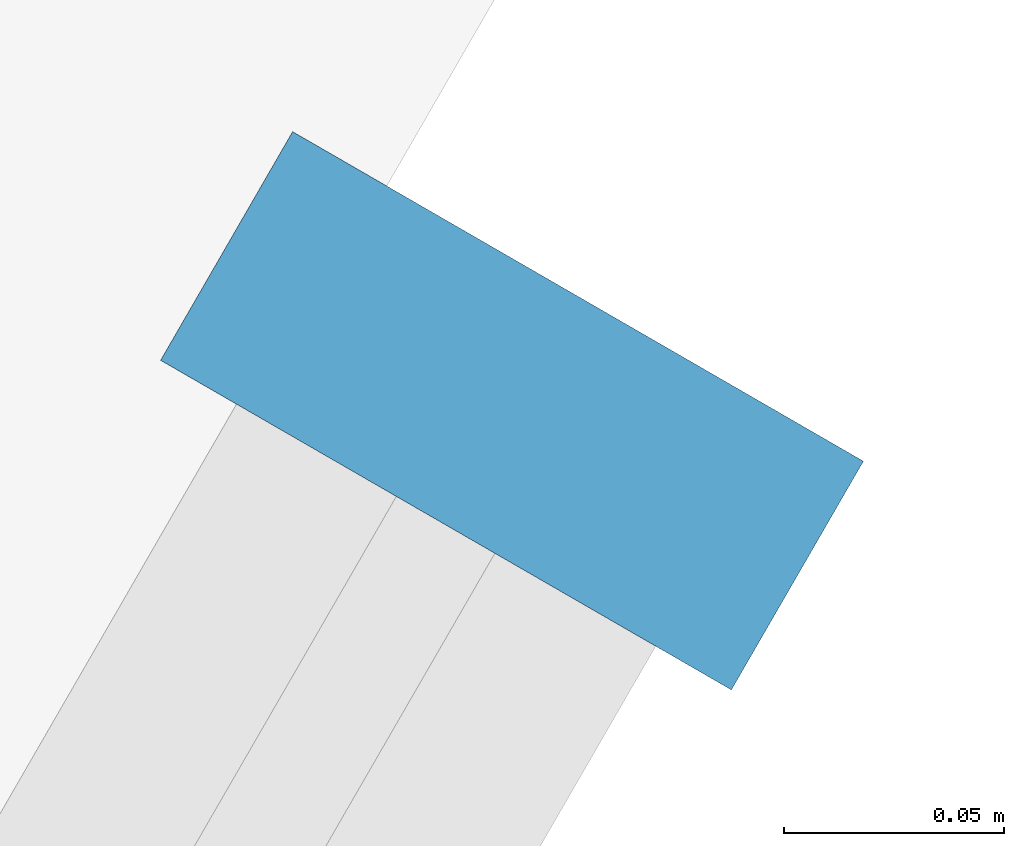
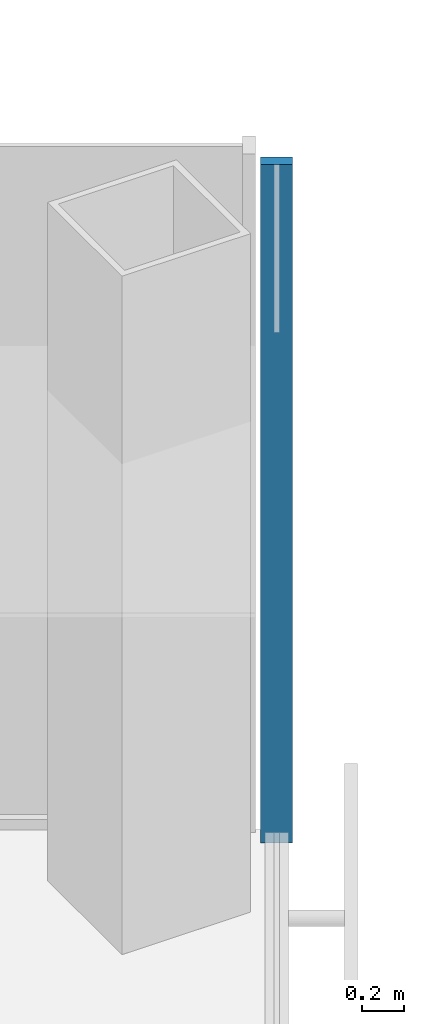
# One storey, part 9 of 18: 1 member, 1 element without a shape of its own.
"""IFC4 building model written with IfcOpenShell, lengths in metres."""

import ifcopenshell
import ifcopenshell.guid

model = None  # the IFC model being written
_history = None  # IfcOwnerHistory: only IFC2X3 demands one
_inside = {}  # id of a spatial element -> (the spatial element, [elements in it])
_under = {}  # id of a project, library or spatial element -> (it, [spatial elements below it])
_declared = {}  # id of a project -> (the project, [libraries it declares])
_typed = {}  # id of a type object -> (the type object, [elements of that type])
_made_of = {}  # id of a material, layer set ... -> (it, [elements and type objects made of it])


def new_model(schema):
    """Start an empty IFC model of exactly this schema.

    Asked for "IFC4X3", IfcOpenShell would pick the latest addendum, in which some entities
    have other attributes; the version numbers below select the first issue.
    IFC2X3 requires an IfcOwnerHistory on every rooted entity: one is made here for all.
    """
    global model, _history
    if schema == "IFC4X3":
        model = ifcopenshell.file(schema_version=(4, 3, 0, 0))
    else:
        model = ifcopenshell.file(schema=schema)
    _inside.clear()
    _under.clear()
    _declared.clear()
    _typed.clear()
    _made_of.clear()
    _history = None
    if model.schema == "IFC2X3":
        org = make("IfcOrganization", Name="unknown")
        user = make(
            "IfcPersonAndOrganization",
            ThePerson=make("IfcPerson", FamilyName="unknown"),
            TheOrganization=org,
        )
        app = make(
            "IfcApplication",
            ApplicationDeveloper=org,
            Version="unknown",
            ApplicationFullName="unknown",
            ApplicationIdentifier="unknown",
        )
        _history = make(
            "IfcOwnerHistory",
            OwningUser=user,
            OwningApplication=app,
            ChangeAction="ADDED",
            CreationDate=0,
        )
    return model


def make(cls, **values):
    """One entity of the class cls with the attributes given. An attribute that is None is left unset."""
    return model.create_entity(
        cls, **{name: value for name, value in values.items() if value is not None}
    )


def rooted(cls, **values):
    """An entity with a GlobalId (a new one), such as an element, a storey or a relation."""
    return make(cls, GlobalId=ifcopenshell.guid.new(), OwnerHistory=_history, **values)


def si_unit(unit_type, name, prefix=None):
    """IfcSIUnit, for example si_unit("LENGTHUNIT", "METRE", prefix="MILLI")."""
    return make("IfcSIUnit", UnitType=unit_type, Prefix=prefix, Name=name)


def assignment(units):
    """IfcUnitAssignment: the units of a project."""
    return None if units is None else make("IfcUnitAssignment", Units=units)


def point(xyz):
    """IfcCartesianPoint."""
    return None if xyz is None else make("IfcCartesianPoint", Coordinates=xyz)


def direction(xyz):
    """IfcDirection."""
    return None if xyz is None else make("IfcDirection", DirectionRatios=xyz)


def frame(location, z_axis=None, x_axis=None):
    """IfcAxis2Placement3D, a coordinate frame: its origin and axes. An axis left out is left unset."""
    return make(
        "IfcAxis2Placement3D",
        Location=point(location),
        Axis=direction(z_axis),
        RefDirection=direction(x_axis),
    )


def frame_2d(location, x_axis=None):
    """IfcAxis2Placement2D, a coordinate frame in the plane: its origin and x axis."""
    return make(
        "IfcAxis2Placement2D", Location=point(location), RefDirection=direction(x_axis)
    )


def origin():
    """The frame at (0, 0, 0) with its axes left unset."""
    return frame((0.0, 0.0, 0.0))


def origin_2d():
    """The frame at (0, 0) in the plane with its x axis left unset."""
    return frame_2d((0.0, 0.0))


def place(relative_to, where):
    """IfcLocalPlacement: puts the frame where relative to a parent placement (None: the world)."""
    return make(
        "IfcLocalPlacement", PlacementRelTo=relative_to, RelativePlacement=where
    )


def context(
    kind, dimensions, precision=None, world=None, true_north=None, identifier=None
):
    """IfcGeometricRepresentationContext, for example the 3D "Model" context."""
    return make(
        "IfcGeometricRepresentationContext",
        ContextIdentifier=identifier,
        ContextType=kind,
        CoordinateSpaceDimension=dimensions,
        Precision=precision,
        WorldCoordinateSystem=world,
        TrueNorth=true_north,
    )


def subcontext(parent, identifier, kind, view, scale=None):
    """IfcGeometricRepresentationSubContext, for example "Body" below "Model"."""
    return make(
        "IfcGeometricRepresentationSubContext",
        ContextIdentifier=identifier,
        ContextType=kind,
        ParentContext=parent,
        TargetScale=scale,
        TargetView=view,
    )


def project(units=None, contexts=None):
    """IfcProject with its units and contexts."""
    return rooted(
        "IfcProject",
        Name="project",
        RepresentationContexts=contexts,
        UnitsInContext=assignment(units),
    )


def spatial(cls, under=None, at=None, **own):
    """A site, building, storey or space (cls), placed at a placement, below another one or the project."""
    s = rooted(cls, ObjectPlacement=at, **own)
    if under is not None:
        _under.setdefault(under.id(), (under, []))[1].append(s)
    return s


def profile(cls, at=None, kind="AREA", **sizes):
    """A parametric profile (cls). Its sizes go by their IFC names, for example OverallWidth=200.0."""
    return make(cls, ProfileType=kind, Position=at, **sizes)


def rectangle(**sizes):
    """IfcRectangleProfileDef."""
    return profile("IfcRectangleProfileDef", **sizes)


def extrude(swept, where, along, depth):
    """IfcExtrudedAreaSolid: the profile swept, set in the frame where, extruded along a direction by depth."""
    return make(
        "IfcExtrudedAreaSolid",
        SweptArea=swept,
        Position=where,
        ExtrudedDirection=direction(along),
        Depth=depth,
    )


def shape(context_of_items, identifier, shape_type, items):
    """IfcShapeRepresentation: the items that make up one representation, for example the "Body"."""
    return make(
        "IfcShapeRepresentation",
        ContextOfItems=context_of_items,
        RepresentationIdentifier=identifier,
        RepresentationType=shape_type,
        Items=items,
    )


def material(Name=None, Category=None):
    """IfcMaterial."""
    return make("IfcMaterial", Name=Name, Category=Category)


def material_profile(
    of_material, cross_section, Name=None, Category=None, Priority=None
):
    """IfcMaterialProfile: a cross section and its material."""
    return make(
        "IfcMaterialProfile",
        Name=Name,
        Material=of_material,
        Profile=cross_section,
        Priority=Priority,
        Category=Category,
    )


def profile_set(profiles, Name=None, composite=None):
    """IfcMaterialProfileSet."""
    return make(
        "IfcMaterialProfileSet",
        Name=Name,
        MaterialProfiles=profiles,
        CompositeProfile=composite,
    )


def made_of(thing, what):
    """Note that an element or type object is made of a material, layer set ...; save() writes the relation."""
    if what is not None:
        _made_of.setdefault(what.id(), (what, []))[1].append(thing)
    return thing


def type_object(cls, material=None, **own):
    """A type object (cls), such as IfcWallType, which elements share."""
    return made_of(rooted(cls, **own), material)


def element(
    cls,
    number,
    at=None,
    inside=None,
    cuts=None,
    type_object=None,
    material=None,
    context=None,
    identifier="Body",
    shape_type=None,
    held_by="IfcProductDefinitionShape",
    body=None,
    shapes=None,
    **own,
):
    """One element of the class cls, such as IfcWall. Its Tag is "e" and its number.

    at: its placement. inside: the storey or other place that contains it. cuts: it is an
    opening in that element (IfcRelVoidsElement). A single representation is given by context,
    identifier, shape_type and body (its items); several are given by shapes. held_by: the class
    of the entity that holds the representations. save() writes the other relations.
    """
    e = rooted(cls, Tag="e%d" % number, ObjectPlacement=at, **own)
    if body is not None:
        shapes = [shape(context, identifier, shape_type, body)]
    if shapes is not None:
        e.Representation = make(held_by, Representations=shapes)
    if inside is not None:
        _inside.setdefault(inside.id(), (inside, []))[1].append(e)
    if cuts is not None:
        rooted(
            "IfcRelVoidsElement", RelatingBuildingElement=cuts, RelatedOpeningElement=e
        )
    if type_object is not None:
        _typed.setdefault(type_object.id(), (type_object, []))[1].append(e)
    return made_of(e, material)


def aggregate(whole, parts):
    """IfcRelAggregates: a whole, such as a stair, and the parts it consists of."""
    return rooted("IfcRelAggregates", RelatingObject=whole, RelatedObjects=parts)


def save(model, path):
    """Write the relations noted so far, then the file.

    IfcRelAggregates (storeys below a building ...), IfcRelContainedInSpatialStructure (elements
    in a storey), IfcRelDefinesByType, IfcRelAssociatesMaterial and IfcRelDeclares: one each for
    every whole, place, type object, material and project.
    """
    for whole, parts in _under.values():
        aggregate(whole, parts)
    for where, things in _inside.values():
        rooted(
            "IfcRelContainedInSpatialStructure",
            RelatedElements=things,
            RelatingStructure=where,
        )
    for kind, things in _typed.values():
        rooted("IfcRelDefinesByType", RelatedObjects=things, RelatingType=kind)
    for what, things in _made_of.values():
        rooted("IfcRelAssociatesMaterial", RelatedObjects=things, RelatingMaterial=what)
    for by, libraries in _declared.values():
        rooted("IfcRelDeclares", RelatingContext=by, RelatedDefinitions=libraries)
    model.write(path)


model = new_model("IFC4")

# Units and contexts
model_context = context("Model", 3, precision=1e-05, world=origin(), true_north=direction((0.0, 1.0)))
body_context = subcontext(model_context, "Body", "Model", "MODEL_VIEW")
ifc_project = project(units=[si_unit("LENGTHUNIT", "METRE"), si_unit("AREAUNIT", "SQUARE_METRE"), si_unit("VOLUMEUNIT", "CUBIC_METRE"), si_unit("PLANEANGLEUNIT", "RADIAN"), si_unit("MASSUNIT", "GRAM", prefix="KILO")], contexts=[model_context])

# Site, building, storey
site_placement = place(None, origin())
site = spatial("IfcSite", under=ifc_project, at=site_placement, CompositionType="ELEMENT")
building_placement = place(site_placement, origin())
building = spatial("IfcBuilding", under=site, at=building_placement, Name="Kasaneha Research Tower", CompositionType="ELEMENT")
storey_placement = place(building_placement, frame((0.0, 0.0, 144.800048828125)))
storey = spatial("IfcBuildingStorey", under=building, at=storey_placement, Name="L36", CompositionType="ELEMENT", Elevation=144.800048828125)

# Curtain wall, member
ifc_material_1 = material(Name="Glass and aluminium", Category="aluminium")
curtain_wall_type = type_object("IfcCurtainWallType", Name="Mid-rise office curtain wall", PredefinedType="USERDEFINED", material=ifc_material_1)
curtain_wall_placement = place(storey_placement, origin())
curtain_wall = element("IfcCurtainWall", 1, at=curtain_wall_placement, inside=storey, type_object=curtain_wall_type, Name="CW-O2 L36 run 04a", ObjectType="UNITISED CURTAIN WALL", PredefinedType="USERDEFINED")
ifc_material_2 = material(Name="Aluminium 6063-T6", Category="aluminium")
ifc_material_profile = material_profile(ifc_material_2, rectangle(XDim=0.06005859375, YDim=0.14990234375, at=origin_2d()), Name="CW-O2 mullion 60x150")
ifc_profile_set = profile_set([ifc_material_profile], Name="Aluminium 6063-T6")
member_type = type_object("IfcMemberType", Name="CW-O2 mullion", PredefinedType="MULLION", material=ifc_profile_set)
member_placement = place(storey_placement, frame((32.012939453125, -6.39306640625, 0.0), z_axis=(0.0, 0.0, 1.0), x_axis=(0.500000011442, 0.866025397178, 0.0)))
member = element("IfcMember", 2, at=member_placement, type_object=member_type, Name="CW-O2 mullion 4", PredefinedType="MULLION", context=body_context, shape_type="SweptSolid", body=[
    extrude(rectangle(XDim=0.06005859375, YDim=0.14990234375, at=origin_2d()), origin(), (0.0, 0.0, 1.0), 3.89990234375),
])
aggregate(curtain_wall, [member])

save(model, "model.ifc")
